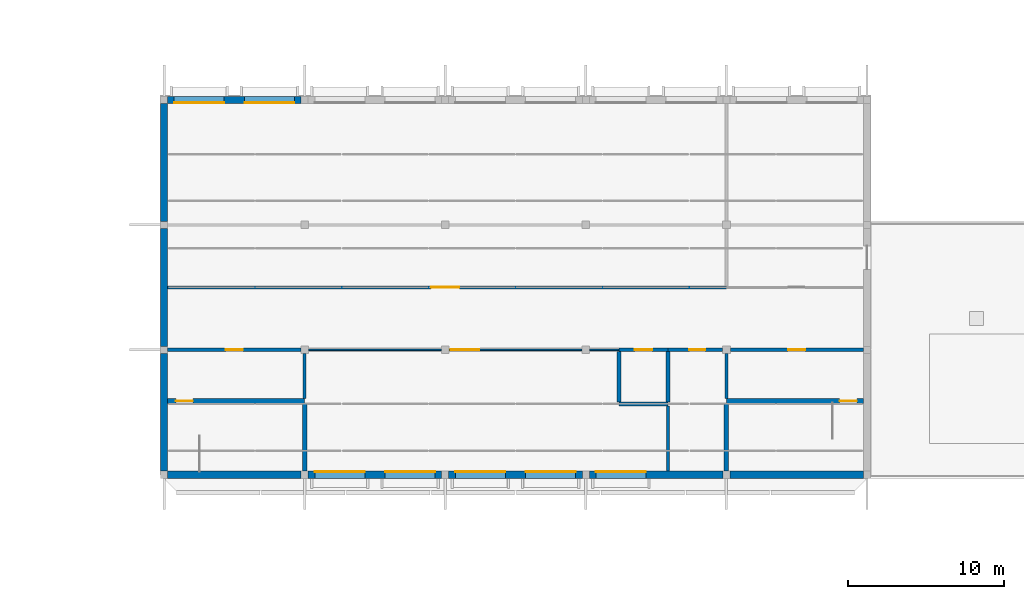
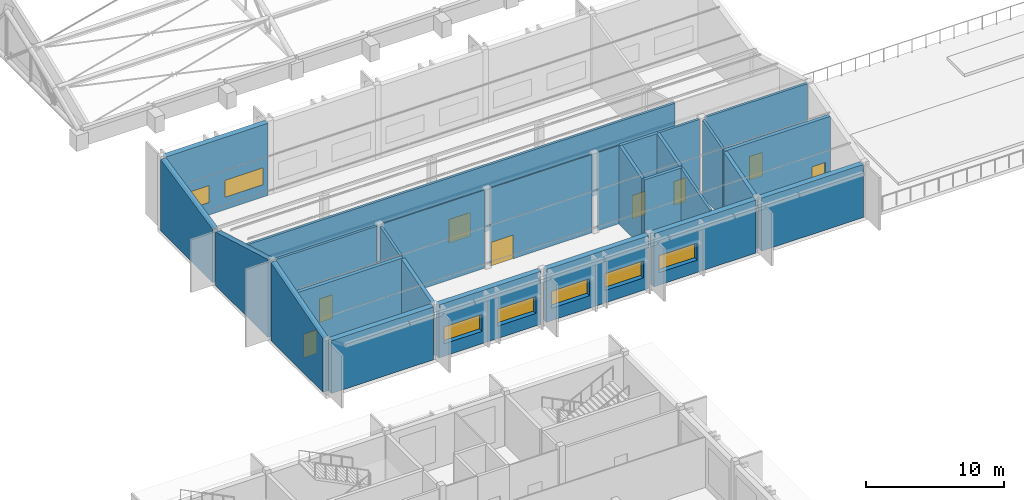
# One storey, part 119 of 196: 27 walls, 8 doors, 7 windows, 15 openings.
"""IFC4 building model written with IfcOpenShell, lengths in metres."""

from ifc_helpers import new_model, si_unit, direction, frame, frame_2d, origin, place, context, subcontext, project, spatial, polyline, rectangle, outline, extrude, material, layer, layer_set, type_object, element, fill, save


model = new_model("IFC4")

# Units and contexts
model_context = context("Model", 3, precision=1e-05, world=origin(), true_north=direction((0.0, 1.0)))
body_context = subcontext(model_context, "Body", "Model", "MODEL_VIEW")
ifc_project = project(units=[si_unit("LENGTHUNIT", "METRE"), si_unit("AREAUNIT", "SQUARE_METRE"), si_unit("VOLUMEUNIT", "CUBIC_METRE"), si_unit("PLANEANGLEUNIT", "RADIAN"), si_unit("MASSUNIT", "GRAM", prefix="KILO")], contexts=[model_context])

# Site, building, storey
site_placement = place(None, origin())
site = spatial("IfcSite", under=ifc_project, at=site_placement, CompositionType="ELEMENT")
building_placement = place(site_placement, origin())
building = spatial("IfcBuilding", under=site, at=building_placement, Name="Okhra Congress Centre", CompositionType="ELEMENT")
storey_placement = place(building_placement, frame((0.0, 0.0, 12.0)))
storey = spatial("IfcBuildingStorey", under=building, at=storey_placement, Name="L02", CompositionType="ELEMENT", Elevation=12.0)

# Wall, openings, windows
ifc_material_1 = material(Name="Insulated metal panel on steel stud (mineral wool, vapour barrier)", Category="steel")
ifc_layer_1 = layer(ifc_material_1, 0.449951171875)
ifc_layer_set_1 = layer_set([ifc_layer_1], Name="Insulated wall 450")
wall_type_1 = type_object("IfcWallType", Name="Insulated wall 450", PredefinedType="SOLIDWALL", material=ifc_layer_set_1)
wall_1_placement = place(storey_placement, frame((37.22509765625, 96.0, 0.0), z_axis=(0.0, 0.0, 1.0), x_axis=(1.0, 0.0, 0.0)))
wall_1 = element("IfcWall", 1, at=wall_1_placement, inside=storey, type_object=wall_type_1, Name="SV.WALL.L02.2", PredefinedType="SOLIDWALL", context=body_context, shape_type="SweptSolid", body=[
    extrude(rectangle(XDim=8.5498046875, YDim=0.449951171875, at=frame_2d((4.27490234375, 0.0))), origin(), (0.0, 0.0, 1.0), 4.68798828125),
])
opening_1_placement = place(wall_1_placement, frame((0.425048828125, 0.0, 1.10009765625)))
opening_1 = element("IfcOpeningElement", 2, at=opening_1_placement, cuts=wall_1, Name="Opening WN16", PredefinedType="OPENING", context=body_context, shape_type="SweptSolid", body=[
    extrude(rectangle(XDim=3.199951171875, YDim=1.5, at=frame_2d((1.60009765625, 0.75))), frame((0.0, 0.23486328125, 0.0), z_axis=(0.0, -1.0, 0.0), x_axis=(1.0, 0.0, 0.0)), (0.0, 0.0, 1.0), 0.469970703125),
])
opening_2_placement = place(wall_1_placement, frame((4.925048828125, 0.0, 1.10009765625)))
opening_2 = element("IfcOpeningElement", 3, at=opening_2_placement, cuts=wall_1, Name="Opening WN16", PredefinedType="OPENING", context=body_context, shape_type="SweptSolid", body=[
    extrude(rectangle(XDim=3.199951171875, YDim=1.5, at=frame_2d((1.60009765625, 0.75))), frame((0.0, 0.23486328125, 0.0), z_axis=(0.0, -1.0, 0.0), x_axis=(1.0, 0.0, 0.0)), (0.0, 0.0, 1.0), 0.469970703125),
])
ifc_material_2 = material(Name="Thermally broken aluminium frame, triple glazing", Category="aluminium")
window_type = type_object("IfcWindowType", Name="Casement window 3200x1500", PartitioningType="SINGLE_PANEL", PredefinedType="WINDOW", material=ifc_material_2)
window_1_placement = place(opening_1_placement, origin())
window_1 = element("IfcWindow", 4, at=window_1_placement, inside=storey, type_object=window_type, Name="SV.WIN.L02.1", OverallHeight=1.5, OverallWidth=3.199951171875, PartitioningType="SINGLE_PANEL", PredefinedType="WINDOW", context=body_context, shape_type="SweptSolid", body=[
    extrude(rectangle(XDim=3.199951171875, YDim=1.5, at=frame_2d((1.60009765625, 0.75))), frame((0.0, 0.215087890625, 0.0), z_axis=(0.0, -1.0, 0.0), x_axis=(1.0, 0.0, 0.0)), (0.0, 0.0, 1.0), 0.06005859375),
])
fill(opening_1, window_1)
window_2_placement = place(opening_2_placement, origin())
window_2 = element("IfcWindow", 5, at=window_2_placement, inside=storey, type_object=window_type, Name="SV.WIN.L02.2", OverallHeight=1.5, OverallWidth=3.199951171875, PartitioningType="SINGLE_PANEL", PredefinedType="WINDOW", context=body_context, shape_type="SweptSolid", body=[
    extrude(rectangle(XDim=3.199951171875, YDim=1.5, at=frame_2d((1.60009765625, 0.75))), frame((0.0, 0.215087890625, 0.0), z_axis=(0.0, -1.0, 0.0), x_axis=(1.0, 0.0, 0.0)), (0.0, 0.0, 1.0), 0.06005859375),
])
fill(opening_2, window_2)

wall_2_placement = place(storey_placement, frame((46.22509765625, 96.0, 0.0), z_axis=(0.0, 0.0, 1.0), x_axis=(1.0, 0.0, 0.0)))
wall_2 = element("IfcWall", 6, at=wall_2_placement, inside=storey, type_object=wall_type_1, Name="SV.WALL.L02.3", PredefinedType="SOLIDWALL", context=body_context, shape_type="SweptSolid", body=[
    extrude(rectangle(XDim=8.5498046875, YDim=0.449951171875, at=frame_2d((4.27490234375, 0.0))), origin(), (0.0, 0.0, 1.0), 4.68798828125),
])
opening_3_placement = place(wall_2_placement, frame((0.425048828125, 0.0, 1.10009765625)))
opening_3 = element("IfcOpeningElement", 7, at=opening_3_placement, cuts=wall_2, Name="Opening WN16", PredefinedType="OPENING", context=body_context, shape_type="SweptSolid", body=[
    extrude(rectangle(XDim=3.199951171875, YDim=1.5, at=frame_2d((1.60009765625, 0.75))), frame((0.0, 0.23486328125, 0.0), z_axis=(0.0, -1.0, 0.0), x_axis=(1.0, 0.0, 0.0)), (0.0, 0.0, 1.0), 0.469970703125),
])
opening_4_placement = place(wall_2_placement, frame((4.925048828125, 0.0, 1.10009765625)))
opening_4 = element("IfcOpeningElement", 8, at=opening_4_placement, cuts=wall_2, Name="Opening WN16", PredefinedType="OPENING", context=body_context, shape_type="SweptSolid", body=[
    extrude(rectangle(XDim=3.199951171875, YDim=1.5, at=frame_2d((1.60009765625, 0.75))), frame((0.0, 0.23486328125, 0.0), z_axis=(0.0, -1.0, 0.0), x_axis=(1.0, 0.0, 0.0)), (0.0, 0.0, 1.0), 0.469970703125),
])
window_3_placement = place(opening_3_placement, origin())
window_3 = element("IfcWindow", 9, at=window_3_placement, inside=storey, type_object=window_type, Name="SV.WIN.L02.3", OverallHeight=1.5, OverallWidth=3.199951171875, PartitioningType="SINGLE_PANEL", PredefinedType="WINDOW", context=body_context, shape_type="SweptSolid", body=[
    extrude(rectangle(XDim=3.199951171875, YDim=1.5, at=frame_2d((1.60009765625, 0.75))), frame((0.0, 0.215087890625, 0.0), z_axis=(0.0, -1.0, 0.0), x_axis=(1.0, 0.0, 0.0)), (0.0, 0.0, 1.0), 0.06005859375),
])
fill(opening_3, window_3)
window_4_placement = place(opening_4_placement, origin())
window_4 = element("IfcWindow", 10, at=window_4_placement, inside=storey, type_object=window_type, Name="SV.WIN.L02.4", OverallHeight=1.5, OverallWidth=3.199951171875, PartitioningType="SINGLE_PANEL", PredefinedType="WINDOW", context=body_context, shape_type="SweptSolid", body=[
    extrude(rectangle(XDim=3.199951171875, YDim=1.5, at=frame_2d((1.60009765625, 0.75))), frame((0.0, 0.215087890625, 0.0), z_axis=(0.0, -1.0, 0.0), x_axis=(1.0, 0.0, 0.0)), (0.0, 0.0, 1.0), 0.06005859375),
])
fill(opening_4, window_4)

# Wall, opening, window
ifc_layer_2 = layer(ifc_material_1, 0.449951171875)
ifc_layer_set_2 = layer_set([ifc_layer_2], Name="Insulated wall 450 EI 45")
wall_type_2 = type_object("IfcWallType", Name="Insulated wall 450 EI 45", PredefinedType="SOLIDWALL", material=ifc_layer_set_2)
wall_3_placement = place(storey_placement, frame((55.22509765625, 96.0, 0.0), z_axis=(0.0, 0.0, 1.0), x_axis=(1.0, 0.0, 0.0)))
wall_3 = element("IfcWall", 11, at=wall_3_placement, inside=storey, type_object=wall_type_2, Name="SV.WALL.L02.4", PredefinedType="SOLIDWALL", context=body_context, shape_type="SweptSolid", body=[
    extrude(rectangle(XDim=8.5498046875, YDim=0.449951171875, at=frame_2d((4.27490234375, 0.0))), origin(), (0.0, 0.0, 1.0), 4.68798828125),
])
opening_5_placement = place(wall_3_placement, frame((0.425048828125, 0.0, 1.10009765625)))
opening_5 = element("IfcOpeningElement", 12, at=opening_5_placement, cuts=wall_3, Name="Opening WN16", PredefinedType="OPENING", context=body_context, shape_type="SweptSolid", body=[
    extrude(rectangle(XDim=3.199951171875, YDim=1.5, at=frame_2d((1.60009765625, 0.75))), frame((0.0, 0.23486328125, 0.0), z_axis=(0.0, -1.0, 0.0), x_axis=(1.0, 0.0, 0.0)), (0.0, 0.0, 1.0), 0.469970703125),
])
window_5_placement = place(opening_5_placement, origin())
window_5 = element("IfcWindow", 13, at=window_5_placement, inside=storey, type_object=window_type, Name="SV.WIN.L02.5", OverallHeight=1.5, OverallWidth=3.199951171875, PartitioningType="SINGLE_PANEL", PredefinedType="WINDOW", context=body_context, shape_type="SweptSolid", body=[
    extrude(rectangle(XDim=3.199951171875, YDim=1.5, at=frame_2d((1.60009765625, 0.75))), frame((0.0, 0.215087890625, 0.0), z_axis=(0.0, -1.0, 0.0), x_axis=(1.0, 0.0, 0.0)), (0.0, 0.0, 1.0), 0.06005859375),
])
fill(opening_5, window_5)

# Wall, openings, windows
wall_4_placement = place(storey_placement, frame((36.77490234375, 120.0, 0.0), z_axis=(0.0, 0.0, 1.0), x_axis=(-1.0, 0.0, 0.0)))
wall_4 = element("IfcWall", 14, at=wall_4_placement, inside=storey, type_object=wall_type_2, Name="SV.WALL.L02.18", PredefinedType="SOLIDWALL", context=body_context, shape_type="SweptSolid", body=[
    extrude(rectangle(XDim=8.5498046875, YDim=0.449951171875, at=frame_2d((4.27490234375, 0.0))), origin(), (0.0, 0.0, 1.0), 6.393798828125),
])
opening_6_placement = place(wall_4_placement, frame((4.925048828125, 0.0, 1.10009765625)))
opening_6 = element("IfcOpeningElement", 15, at=opening_6_placement, cuts=wall_4, Name="Opening WN16", PredefinedType="OPENING", context=body_context, shape_type="SweptSolid", body=[
    extrude(rectangle(XDim=3.199951171875, YDim=1.5, at=frame_2d((1.60009765625, 0.75))), frame((0.0, 0.23486328125, 0.0), z_axis=(0.0, -1.0, 0.0), x_axis=(1.0, 0.0, 0.0)), (0.0, 0.0, 1.0), 0.469970703125),
])
opening_7_placement = place(wall_4_placement, frame((0.425048828125, 0.0, 1.10009765625)))
opening_7 = element("IfcOpeningElement", 16, at=opening_7_placement, cuts=wall_4, Name="Opening WN16", PredefinedType="OPENING", context=body_context, shape_type="SweptSolid", body=[
    extrude(rectangle(XDim=3.199951171875, YDim=1.5, at=frame_2d((1.60009765625, 0.75))), frame((0.0, 0.23486328125, 0.0), z_axis=(0.0, -1.0, 0.0), x_axis=(1.0, 0.0, 0.0)), (0.0, 0.0, 1.0), 0.469970703125),
])
window_6_placement = place(opening_6_placement, origin())
window_6 = element("IfcWindow", 17, at=window_6_placement, inside=storey, type_object=window_type, Name="SV.WIN.L02.6", OverallHeight=1.5, OverallWidth=3.199951171875, PartitioningType="SINGLE_PANEL", PredefinedType="WINDOW", context=body_context, shape_type="SweptSolid", body=[
    extrude(rectangle(XDim=3.199951171875, YDim=1.5, at=frame_2d((1.60009765625, 0.75))), frame((0.0, 0.215087890625, 0.0), z_axis=(0.0, -1.0, 0.0), x_axis=(1.0, 0.0, 0.0)), (0.0, 0.0, 1.0), 0.06005859375),
])
fill(opening_6, window_6)
window_7_placement = place(opening_7_placement, origin())
window_7 = element("IfcWindow", 18, at=window_7_placement, inside=storey, type_object=window_type, Name="SV.WIN.L02.7", OverallHeight=1.5, OverallWidth=3.199951171875, PartitioningType="SINGLE_PANEL", PredefinedType="WINDOW", context=body_context, shape_type="SweptSolid", body=[
    extrude(rectangle(XDim=3.199951171875, YDim=1.5, at=frame_2d((1.60009765625, 0.75))), frame((0.0, 0.215087890625, 0.0), z_axis=(0.0, -1.0, 0.0), x_axis=(1.0, 0.0, 0.0)), (0.0, 0.0, 1.0), 0.06005859375),
])
fill(opening_7, window_7)

# Walls
wall_5_placement = place(storey_placement, frame((28.0, 111.77490234375, 0.0), z_axis=(0.0, 0.0, 1.0), x_axis=(0.0, -1.0, 0.0)))
element("IfcWall", 19, at=wall_5_placement, inside=storey, type_object=wall_type_2, Name="SV.WALL.L02.24", PredefinedType="SOLIDWALL", context=body_context, shape_type="SweptSolid", body=[
    extrude(outline(polyline([(0.0, 0.0), (7.5498046875, 0.0), (7.550048828125, 6.917236328125), (0.0, 4.75244140625), (0.0, 0.0)])), frame((0.0, 0.22509765625, 0.0), z_axis=(0.0, -1.0, 0.0), x_axis=(1.0, 0.0, 0.0)), (0.0, 0.0, 1.0), 0.449951171875),
])
wall_6_placement = place(storey_placement, frame((28.0, 119.77490234375, 0.0), z_axis=(0.0, 0.0, 1.0), x_axis=(0.0, -1.0, 0.0)))
element("IfcWall", 20, at=wall_6_placement, inside=storey, type_object=wall_type_2, Name="SV.WALL.L02.25", PredefinedType="SOLIDWALL", context=body_context, shape_type="SweptSolid", body=[
    extrude(outline(polyline([(0.0, 0.0), (7.5498046875, 0.0), (7.550048828125, 4.7412109375), (0.0, 6.345947265625), (0.0, 0.0)])), frame((0.0, 0.22509765625, 0.0), z_axis=(0.0, -1.0, 0.0), x_axis=(1.0, 0.0, 0.0)), (0.0, 0.0, 1.0), 0.449951171875),
])

# Wall, opening, door
ifc_material_3 = material(Name="Masonry blockwork (aerated concrete D500)", Category="masonry")
ifc_layer_3 = layer(ifc_material_3, 0.199951171875)
ifc_layer_set_3 = layer_set([ifc_layer_3], Name="Masonry block wall 200 EI 45")
wall_type_3 = type_object("IfcWallType", Name="Masonry block wall 200 EI 45", PredefinedType="SOLIDWALL", material=ifc_layer_set_3)
wall_7_placement = place(storey_placement, frame((28.22509765625, 104.0, 0.0), z_axis=(0.0, 0.0, 1.0), x_axis=(1.0, 0.0, 0.0)))
wall_7 = element("IfcWall", 21, at=wall_7_placement, inside=storey, type_object=wall_type_3, Name="SV.WALL.L02.9", PredefinedType="SOLIDWALL", context=body_context, shape_type="SweptSolid", body=[
    extrude(rectangle(XDim=8.52490234375, YDim=0.199951171875, at=frame_2d((4.262451171875, 0.0))), origin(), (0.0, 0.0, 1.0), 6.921875),
])
opening_8_placement = place(wall_7_placement, frame((3.72509765625, 0.0, 0.0)))
opening_8 = element("IfcOpeningElement", 22, at=opening_8_placement, cuts=wall_7, Name="Opening L02-004", PredefinedType="OPENING", context=body_context, shape_type="SweptSolid", body=[
    extrude(rectangle(XDim=1.10009765625, YDim=2.10009765625, at=frame_2d((0.550048828125, 1.050048828125))), frame((0.0, 0.10986328125, 0.0), z_axis=(0.0, -1.0, 0.0), x_axis=(1.0, 0.0, 0.0)), (0.0, 0.0, 1.0), 0.219970703125),
])
ifc_material_4 = material(Name="Steel fire door leaf in steel frame, intumescent seals", Category="steel")
door_type_1 = type_object("IfcDoorType", Name="Steel fire door 1100x2100 EI 30", OperationType="NOTDEFINED", PredefinedType="DOOR", material=ifc_material_4)
door_1_placement = place(opening_8_placement, frame((1.10009765625, 0.0, 0.0), z_axis=(0.0, 0.0, 1.0), x_axis=(-1.0, 0.0, 0.0)))
door_1 = element("IfcDoor", 23, at=door_1_placement, inside=storey, type_object=door_type_1, Name="Door L02-004", OperationType="SINGLE_SWING_RIGHT", OverallHeight=2.10009765625, OverallWidth=1.10009765625, PredefinedType="DOOR", context=body_context, shape_type="SweptSolid", body=[
    extrude(rectangle(XDim=1.10009765625, YDim=2.10009765625, at=frame_2d((0.550048828125, 1.050048828125))), frame((0.0, 0.02490234375, 0.0), z_axis=(0.0, -1.0, 0.0), x_axis=(1.0, 0.0, 0.0)), (0.0, 0.0, 1.0), 0.050048828125),
])
fill(opening_8, door_1)

wall_8_placement = place(storey_placement, frame((60.27490234375, 104.0, 0.0), z_axis=(0.0, 0.0, 1.0), x_axis=(1.0, 0.0, 0.0)))
wall_8 = element("IfcWall", 24, at=wall_8_placement, inside=storey, type_object=wall_type_3, Name="SV.WALL.L02.14", PredefinedType="SOLIDWALL", context=body_context, shape_type="SweptSolid", body=[
    extrude(rectangle(XDim=3.47509765625, YDim=0.199951171875, at=frame_2d((1.737548828125, 0.0))), origin(), (0.0, 0.0, 1.0), 6.921875),
])
opening_9_placement = place(wall_8_placement, frame((1.362548828125, 0.0, 0.0)))
opening_9 = element("IfcOpeningElement", 25, at=opening_9_placement, cuts=wall_8, Name="Opening L02-009", PredefinedType="OPENING", context=body_context, shape_type="SweptSolid", body=[
    extrude(rectangle(XDim=1.0, YDim=2.10009765625, at=frame_2d((0.5, 1.050048828125))), frame((0.0, 0.10986328125, 0.0), z_axis=(0.0, -1.0, 0.0), x_axis=(1.0, 0.0, 0.0)), (0.0, 0.0, 1.0), 0.219970703125),
])
door_type_2 = type_object("IfcDoorType", Name="Steel fire door 1000x2100 EI 30", OperationType="NOTDEFINED", PredefinedType="DOOR", material=ifc_material_4)
door_2_placement = place(opening_9_placement, origin())
door_2 = element("IfcDoor", 26, at=door_2_placement, inside=storey, type_object=door_type_2, Name="Door L02-009", OperationType="SINGLE_SWING_RIGHT", OverallHeight=2.10009765625, OverallWidth=1.0, PredefinedType="DOOR", context=body_context, shape_type="SweptSolid", body=[
    extrude(rectangle(XDim=1.0, YDim=2.10009765625, at=frame_2d((0.5, 1.050048828125))), frame((0.0, 0.02490234375, 0.0), z_axis=(0.0, -1.0, 0.0), x_axis=(1.0, 0.0, 0.0)), (0.0, 0.0, 1.0), 0.050048828125),
])
fill(opening_9, door_2)

wall_9_placement = place(storey_placement, frame((64.25, 104.0, 0.0), z_axis=(0.0, 0.0, 1.0), x_axis=(1.0, 0.0, 0.0)))
wall_9 = element("IfcWall", 27, at=wall_9_placement, inside=storey, type_object=wall_type_3, Name="SV.WALL.L02.15", PredefinedType="SOLIDWALL", context=body_context, shape_type="SweptSolid", body=[
    extrude(rectangle(XDim=8.52490234375, YDim=0.199951171875, at=frame_2d((4.262451171875, 0.0))), origin(), (0.0, 0.0, 1.0), 6.921875),
])
opening_10_placement = place(wall_9_placement, frame((3.699951171875, 0.0, 0.0)))
opening_10 = element("IfcOpeningElement", 28, at=opening_10_placement, cuts=wall_9, Name="Opening L02-006", PredefinedType="OPENING", context=body_context, shape_type="SweptSolid", body=[
    extrude(rectangle(XDim=1.10009765625, YDim=2.10009765625, at=frame_2d((0.550048828125, 1.050048828125))), frame((0.0, 0.10986328125, 0.0), z_axis=(0.0, -1.0, 0.0), x_axis=(1.0, 0.0, 0.0)), (0.0, 0.0, 1.0), 0.219970703125),
])
door_3_placement = place(opening_10_placement, frame((1.10009765625, 0.0, 0.0), z_axis=(0.0, 0.0, 1.0), x_axis=(-1.0, 0.0, 0.0)))
door_3 = element("IfcDoor", 29, at=door_3_placement, inside=storey, type_object=door_type_1, Name="Door L02-006", OperationType="SINGLE_SWING_RIGHT", OverallHeight=2.10009765625, OverallWidth=1.10009765625, PredefinedType="DOOR", context=body_context, shape_type="SweptSolid", body=[
    extrude(rectangle(XDim=1.10009765625, YDim=2.10009765625, at=frame_2d((0.550048828125, 1.050048828125))), frame((0.0, 0.02490234375, 0.0), z_axis=(0.0, -1.0, 0.0), x_axis=(1.0, 0.0, 0.0)), (0.0, 0.0, 1.0), 0.050048828125),
])
fill(opening_10, door_3)

wall_10_placement = place(storey_placement, frame((28.22509765625, 108.0, 0.0), z_axis=(0.0, 0.0, 1.0), x_axis=(1.0, 0.0, 0.0)))
wall_10 = element("IfcWall", 30, at=wall_10_placement, inside=storey, type_object=wall_type_3, Name="SV.WALL.L02.16", PredefinedType="SOLIDWALL", context=body_context, shape_type="SweptSolid", body=[
    extrude(rectangle(XDim=35.77490234375, YDim=0.199951171875, at=frame_2d((17.887451171875, 0.0))), origin(), (0.0, 0.0, 1.0), 5.8349609375),
])
opening_11_placement = place(wall_10_placement, frame((16.875, 0.0, 0.0)))
opening_11 = element("IfcOpeningElement", 31, at=opening_11_placement, cuts=wall_10, Name="Opening L02-010", PredefinedType="OPENING", context=body_context, shape_type="SweptSolid", body=[
    extrude(rectangle(XDim=1.800048828125, YDim=2.10009765625, at=frame_2d((0.89990234375, 1.050048828125))), frame((0.0, 0.10986328125, 0.0), z_axis=(0.0, -1.0, 0.0), x_axis=(1.0, 0.0, 0.0)), (0.0, 0.0, 1.0), 0.219970703125),
])
ifc_material_5 = material(Name="Steel fire door leaves in steel frame, intumescent seals", Category="steel")
door_type_3 = type_object("IfcDoorType", Name="Steel fire door pair 1800x2100 EI 30", OperationType="NOTDEFINED", PredefinedType="DOOR", material=ifc_material_5)
door_4_placement = place(opening_11_placement, frame((1.800048828125, 0.0, 0.0), z_axis=(0.0, 0.0, 1.0), x_axis=(-1.0, 0.0, 0.0)))
door_4 = element("IfcDoor", 32, at=door_4_placement, inside=storey, type_object=door_type_3, Name="Door L02-010", OperationType="DOUBLE_DOOR_SINGLE_SWING", OverallHeight=2.10009765625, OverallWidth=1.800048828125, PredefinedType="DOOR", context=body_context, shape_type="SweptSolid", body=[
    extrude(rectangle(XDim=1.800048828125, YDim=2.10009765625, at=frame_2d((0.89990234375, 1.050048828125))), frame((0.0, 0.02490234375, 0.0), z_axis=(0.0, -1.0, 0.0), x_axis=(1.0, 0.0, 0.0)), (0.0, 0.0, 1.0), 0.050048828125),
])
fill(opening_11, door_4)

# Walls
wall_11_placement = place(storey_placement, frame((37.0, 100.875, 0.0), z_axis=(0.0, 0.0, 1.0), x_axis=(0.0, 1.0, 0.0)))
element("IfcWall", 33, at=wall_11_placement, inside=storey, type_object=wall_type_3, Name="SV.WALL.L02.27", PredefinedType="SOLIDWALL", context=body_context, shape_type="SweptSolid", body=[
    extrude(outline(polyline([(0.0, 0.0), (2.875, 0.0), (2.875, 6.91015625), (0.0, 6.085693359375), (0.0, 0.0)])), frame((0.0, 0.10009765625, 0.0), z_axis=(0.0, -1.0, 0.0), x_axis=(1.0, 0.0, 0.0)), (0.0, 0.0, 1.0), 0.199951171875),
])
wall_12_placement = place(storey_placement, frame((60.27490234375, 96.22509765625, 0.0), z_axis=(0.0, 0.0, 1.0), x_axis=(0.0, 1.0, 0.0)))
element("IfcWall", 34, at=wall_12_placement, inside=storey, type_object=wall_type_3, Name="SV.WALL.L02.29", PredefinedType="SOLIDWALL", context=body_context, shape_type="SweptSolid", body=[
    extrude(outline(polyline([(0.0, 0.0), (4.1748046875, 0.0), (4.175048828125, 5.94970703125), (0.0, 4.75244140625), (0.0, 0.0)])), frame((0.0, 0.10009765625, 0.0), z_axis=(0.0, -1.0, 0.0), x_axis=(1.0, 0.0, 0.0)), (0.0, 0.0, 1.0), 0.199951171875),
])
wall_13_placement = place(storey_placement, frame((64.0, 100.875, 0.0), z_axis=(0.0, 0.0, 1.0), x_axis=(0.0, 1.0, 0.0)))
element("IfcWall", 35, at=wall_13_placement, inside=storey, type_object=wall_type_3, Name="SV.WALL.L02.32", PredefinedType="SOLIDWALL", context=body_context, shape_type="SweptSolid", body=[
    extrude(outline(polyline([(0.0, 0.0), (2.875, 0.0), (2.875, 6.91015625), (0.0, 6.085693359375), (0.0, 0.0)])), frame((0.0, 0.10009765625, 0.0), z_axis=(0.0, -1.0, 0.0), x_axis=(1.0, 0.0, 0.0)), (0.0, 0.0, 1.0), 0.199951171875),
])
ifc_material_6 = material(Name="Gypsum board on steel studs", Category="steel")
ifc_layer_4 = layer(ifc_material_6, 0.10009765625)
ifc_layer_set_4 = layer_set([ifc_layer_4], Name="Partition 100 EI 15")
wall_type_4 = type_object("IfcWallType", Name="Partition 100 EI 15", PredefinedType="PARTITIONING", material=ifc_layer_set_4)
wall_14_placement = place(storey_placement, frame((37.25, 104.0, 0.0), z_axis=(0.0, 0.0, 1.0), x_axis=(1.0, 0.0, 0.0)))
element("IfcWall", 36, at=wall_14_placement, inside=storey, type_object=wall_type_4, Name="SV.WALL.L02.10", PredefinedType="PARTITIONING", context=body_context, shape_type="SweptSolid", body=[
    extrude(rectangle(XDim=8.5, YDim=0.10009765625, at=frame_2d((4.25, 0.0))), origin(), (0.0, 0.0, 1.0), 6.921875),
])

# Wall, opening, door
wall_15_placement = place(storey_placement, frame((46.25, 104.0, 0.0), z_axis=(0.0, 0.0, 1.0), x_axis=(1.0, 0.0, 0.0)))
wall_15 = element("IfcWall", 37, at=wall_15_placement, inside=storey, type_object=wall_type_4, Name="SV.WALL.L02.11", PredefinedType="PARTITIONING", context=body_context, shape_type="SweptSolid", body=[
    extrude(rectangle(XDim=8.5, YDim=0.10009765625, at=frame_2d((4.25, 0.0))), origin(), (0.0, 0.0, 1.0), 6.921875),
])
opening_12_placement = place(wall_15_placement, frame((0.112548828125, 0.0, 0.0)))
opening_12 = element("IfcOpeningElement", 38, at=opening_12_placement, cuts=wall_15, Name="Opening L02-008", PredefinedType="OPENING", context=body_context, shape_type="SweptSolid", body=[
    extrude(rectangle(XDim=1.800048828125, YDim=2.10009765625, at=frame_2d((0.89990234375, 1.050048828125))), frame((0.0, 0.06005859375, 0.0), z_axis=(0.0, -1.0, 0.0), x_axis=(1.0, 0.0, 0.0)), (0.0, 0.0, 1.0), 0.1201171875),
])
ifc_material_7 = material(Name="Timber door leaves in steel frame", Category="steel")
door_type_4 = type_object("IfcDoorType", Name="Double swing door 1800x2100", OperationType="NOTDEFINED", PredefinedType="DOOR", material=ifc_material_7)
door_5_placement = place(opening_12_placement, origin())
door_5 = element("IfcDoor", 39, at=door_5_placement, inside=storey, type_object=door_type_4, Name="Door L02-008", OperationType="DOUBLE_DOOR_SINGLE_SWING", OverallHeight=2.10009765625, OverallWidth=1.800048828125, PredefinedType="DOOR", context=body_context, shape_type="SweptSolid", body=[
    extrude(rectangle(XDim=1.800048828125, YDim=2.10009765625, at=frame_2d((0.89990234375, 1.050048828125))), frame((0.0, 0.02490234375, 0.0), z_axis=(0.0, -1.0, 0.0), x_axis=(1.0, 0.0, 0.0)), (0.0, 0.0, 1.0), 0.050048828125),
])
fill(opening_12, door_5)

# Wall
wall_16_placement = place(storey_placement, frame((55.25, 104.0, 0.0), z_axis=(0.0, 0.0, 1.0), x_axis=(1.0, 0.0, 0.0)))
element("IfcWall", 40, at=wall_16_placement, inside=storey, type_object=wall_type_4, Name="SV.WALL.L02.12", PredefinedType="PARTITIONING", context=body_context, shape_type="SweptSolid", body=[
    extrude(rectangle(XDim=1.875, YDim=0.10009765625, at=frame_2d((0.9375, 0.0))), origin(), (0.0, 0.0, 1.0), 6.921875),
])

# Wall, opening, door
ifc_material_8 = material(Name="Concrete C35/45", Category="concrete")
ifc_layer_5 = layer(ifc_material_8, 0.300048828125)
ifc_layer_set_5 = layer_set([ifc_layer_5], Name="RC core wall 300 REI 120 C35/45")
wall_type_5 = type_object("IfcWallType", Name="RC core wall 300 REI 120 C35/45", PredefinedType="SHEAR", material=ifc_layer_set_5)
wall_17_placement = place(storey_placement, frame((28.22509765625, 100.72509765625, 0.0), z_axis=(0.0, 0.0, 1.0), x_axis=(1.0, 0.0, 0.0)))
wall_17 = element("IfcWall", 41, at=wall_17_placement, inside=storey, type_object=wall_type_5, Name="SV.WALL.L02.7", PredefinedType="SHEAR", context=body_context, shape_type="SweptSolid", body=[
    extrude(rectangle(XDim=8.77490234375, YDim=0.300048828125, at=frame_2d((4.387451171875, 0.0))), origin(), (0.0, 0.0, 1.0), 6.042724609375),
])
opening_13_placement = place(wall_17_placement, frame((0.52490234375, 0.0, 0.0)))
opening_13 = element("IfcOpeningElement", 42, at=opening_13_placement, cuts=wall_17, Name="Opening L02-005", PredefinedType="OPENING", context=body_context, shape_type="SweptSolid", body=[
    extrude(rectangle(XDim=1.10009765625, YDim=2.10009765625, at=frame_2d((0.550048828125, 1.050048828125))), frame((0.0, 0.159912109375, 0.0), z_axis=(0.0, -1.0, 0.0), x_axis=(1.0, 0.0, 0.0)), (0.0, 0.0, 1.0), 0.320068359375),
])
door_6_placement = place(opening_13_placement, frame((1.10009765625, 0.0, 0.0), z_axis=(0.0, 0.0, 1.0), x_axis=(-1.0, 0.0, 0.0)))
door_6 = element("IfcDoor", 43, at=door_6_placement, inside=storey, type_object=door_type_1, Name="Door L02-005", OperationType="SINGLE_SWING_LEFT", OverallHeight=2.10009765625, OverallWidth=1.10009765625, PredefinedType="DOOR", context=body_context, shape_type="SweptSolid", body=[
    extrude(rectangle(XDim=1.10009765625, YDim=2.10009765625, at=frame_2d((0.550048828125, 1.050048828125))), frame((0.0, 0.02490234375, 0.0), z_axis=(0.0, -1.0, 0.0), x_axis=(1.0, 0.0, 0.0)), (0.0, 0.0, 1.0), 0.050048828125),
])
fill(opening_13, door_6)

wall_18_placement = place(storey_placement, frame((64.0, 100.72509765625, 0.0), z_axis=(0.0, 0.0, 1.0), x_axis=(1.0, 0.0, 0.0)))
wall_18 = element("IfcWall", 44, at=wall_18_placement, inside=storey, type_object=wall_type_5, Name="SV.WALL.L02.8", PredefinedType="SHEAR", context=body_context, shape_type="SweptSolid", body=[
    extrude(rectangle(XDim=8.77490234375, YDim=0.300048828125, at=frame_2d((4.387451171875, 0.0))), origin(), (0.0, 0.0, 1.0), 6.042724609375),
])
opening_14_placement = place(wall_18_placement, frame((7.25, 0.0, 0.0)))
opening_14 = element("IfcOpeningElement", 45, at=opening_14_placement, cuts=wall_18, Name="Opening L02-007", PredefinedType="OPENING", context=body_context, shape_type="SweptSolid", body=[
    extrude(rectangle(XDim=1.10009765625, YDim=2.10009765625, at=frame_2d((0.550048828125, 1.050048828125))), frame((0.0, 0.159912109375, 0.0), z_axis=(0.0, -1.0, 0.0), x_axis=(1.0, 0.0, 0.0)), (0.0, 0.0, 1.0), 0.320068359375),
])
door_7_placement = place(opening_14_placement, frame((1.10009765625, 0.0, 0.0), z_axis=(0.0, 0.0, 1.0), x_axis=(-1.0, 0.0, 0.0)))
door_7 = element("IfcDoor", 46, at=door_7_placement, inside=storey, type_object=door_type_1, Name="Door L02-007", OperationType="SINGLE_SWING_LEFT", OverallHeight=2.10009765625, OverallWidth=1.10009765625, PredefinedType="DOOR", context=body_context, shape_type="SweptSolid", body=[
    extrude(rectangle(XDim=1.10009765625, YDim=2.10009765625, at=frame_2d((0.550048828125, 1.050048828125))), frame((0.0, 0.02490234375, 0.0), z_axis=(0.0, -1.0, 0.0), x_axis=(1.0, 0.0, 0.0)), (0.0, 0.0, 1.0), 0.050048828125),
])
fill(opening_14, door_7)

# Walls
for number, where, z_axis, x_axis, name in (
    (47, (37.0, 96.22509765625, 0.0), (0.0, 0.0, 1.0), (0.0, 1.0, 0.0), "SV.WALL.L02.26"),
    (48, (64.0, 96.22509765625, 0.0), (0.0, 0.0, 1.0), (0.0, 1.0, 0.0), "SV.WALL.L02.31"),
):
    element("IfcWall", number, at=place(storey_placement, frame(where, z_axis=z_axis, x_axis=x_axis)), inside=storey, type_object=wall_type_5, Name=name, PredefinedType="SHEAR", context=body_context, shape_type="SweptSolid", body=[
        extrude(outline(polyline([(0.0, 0.0), (4.349853515625, 0.0), (4.35009765625, 5.999755859375), (0.0, 4.75244140625), (0.0, 0.0)])), frame((0.0, 0.14990234375, 0.0), z_axis=(0.0, -1.0, 0.0), x_axis=(1.0, 0.0, 0.0)), (0.0, 0.0, 1.0), 0.300048828125),
    ])
ifc_material_9 = material(Name="Concrete C30/37", Category="concrete")
ifc_layer_6 = layer(ifc_material_9, 0.449951171875)
ifc_layer_set_6 = layer_set([ifc_layer_6], Name="RC facade wall 450 REI 120 C30/37")
wall_type_6 = type_object("IfcWallType", Name="RC facade wall 450 REI 120 C30/37", PredefinedType="SOLIDWALL", material=ifc_layer_set_6)
for number, where, z_axis, x_axis, name in (
    (49, (28.22509765625, 96.0, 0.0), (0.0, 0.0, 1.0), (1.0, 0.0, 0.0), "SV.WALL.L02.1"),
    (50, (64.22509765625, 96.0, 0.0), (0.0, 0.0, 1.0), (1.0, 0.0, 0.0), "SV.WALL.L02.5"),
):
    element("IfcWall", number, at=place(storey_placement, frame(where, z_axis=z_axis, x_axis=x_axis)), inside=storey, type_object=wall_type_6, Name=name, PredefinedType="SOLIDWALL", context=body_context, shape_type="SweptSolid", body=[
        extrude(rectangle(XDim=8.5498046875, YDim=0.449951171875, at=frame_2d((4.27490234375, 0.0))), origin(), (0.0, 0.0, 1.0), 4.68798828125),
    ])
wall_19_placement = place(storey_placement, frame((28.0, 103.77490234375, 0.0), z_axis=(0.0, 0.0, 1.0), x_axis=(0.0, -1.0, 0.0)))
element("IfcWall", 51, at=wall_19_placement, inside=storey, type_object=wall_type_6, Name="SV.WALL.L02.23", PredefinedType="SOLIDWALL", context=body_context, shape_type="SweptSolid", body=[
    extrude(outline(polyline([(0.0, 0.0), (7.5498046875, 0.0), (7.550048828125, 4.75244140625), (0.0, 6.917236328125), (0.0, 0.0)])), frame((0.0, 0.22509765625, 0.0), z_axis=(0.0, -1.0, 0.0), x_axis=(1.0, 0.0, 0.0)), (0.0, 0.0, 1.0), 0.449951171875),
])
ifc_layer_7 = layer(ifc_material_9, 0.25)
ifc_layer_set_7 = layer_set([ifc_layer_7], Name="RC wall 250 REI 120 C30/37")
wall_type_7 = type_object("IfcWallType", Name="RC wall 250 REI 120 C30/37", PredefinedType="SOLIDWALL", material=ifc_layer_set_7)
wall_20_placement = place(storey_placement, frame((57.125, 100.52490234375, 0.0), z_axis=(0.0, 0.0, 1.0), x_axis=(1.0, 0.0, 0.0)))
element("IfcWall", 52, at=wall_20_placement, inside=storey, type_object=wall_type_7, Name="SV.WALL.L02.6", PredefinedType="SOLIDWALL", context=body_context, shape_type="SweptSolid", body=[
    extrude(rectangle(XDim=3.14990234375, YDim=0.25, at=frame_2d((1.574951171875, 0.0))), origin(), (0.0, 0.0, 1.0), 5.9853515625),
])

# Wall, opening, door
wall_21_placement = place(storey_placement, frame((57.125, 104.0, 0.0), z_axis=(0.0, 0.0, 1.0), x_axis=(1.0, 0.0, 0.0)))
wall_21 = element("IfcWall", 53, at=wall_21_placement, inside=storey, type_object=wall_type_7, Name="SV.WALL.L02.13", PredefinedType="SOLIDWALL", context=body_context, shape_type="SweptSolid", body=[
    extrude(rectangle(XDim=3.14990234375, YDim=0.25, at=frame_2d((1.574951171875, 0.0))), origin(), (0.0, 0.0, 1.0), 6.921875),
])
opening_15_placement = place(wall_21_placement, frame((1.02490234375, 0.0, 0.0)))
opening_15 = element("IfcOpeningElement", 54, at=opening_15_placement, cuts=wall_21, Name="Opening L02-012", PredefinedType="OPENING", context=body_context, shape_type="SweptSolid", body=[
    extrude(rectangle(XDim=1.10009765625, YDim=2.10009765625, at=frame_2d((0.550048828125, 1.050048828125))), frame((0.0, 0.135009765625, 0.0), z_axis=(0.0, -1.0, 0.0), x_axis=(1.0, 0.0, 0.0)), (0.0, 0.0, 1.0), 0.27001953125),
])
ifc_material_10 = material(Name="Stainless steel sliding landing door leaves", Category="steel")
door_type_5 = type_object("IfcDoorType", Name="Lift landing door 1100x2100 EI 30", OperationType="DOUBLE_DOOR_SLIDING", PredefinedType="DOOR", material=ifc_material_10)
door_8_placement = place(opening_15_placement, origin())
door_8 = element("IfcDoor", 55, at=door_8_placement, inside=storey, type_object=door_type_5, Name="Door L02-012", OperationType="DOUBLE_DOOR_SLIDING", OverallHeight=2.10009765625, OverallWidth=1.10009765625, PredefinedType="DOOR", context=body_context, shape_type="SweptSolid", body=[
    extrude(rectangle(XDim=1.10009765625, YDim=2.10009765625, at=frame_2d((0.550048828125, 1.050048828125))), frame((0.0, 0.02490234375, 0.0), z_axis=(0.0, -1.0, 0.0), x_axis=(1.0, 0.0, 0.0)), (0.0, 0.0, 1.0), 0.050048828125),
])
fill(opening_15, door_8)

# Walls
for number, where, z_axis, x_axis, name in (
    (56, (57.125, 100.64990234375, 0.0), (0.0, 0.0, 1.0), (0.0, 1.0, 0.0), "SV.WALL.L02.28"),
    (57, (60.27490234375, 100.64990234375, 0.0), (0.0, 0.0, 1.0), (0.0, 1.0, 0.0), "SV.WALL.L02.30"),
):
    element("IfcWall", number, at=place(storey_placement, frame(where, z_axis=z_axis, x_axis=x_axis)), inside=storey, type_object=wall_type_7, Name=name, PredefinedType="SOLIDWALL", context=body_context, shape_type="SweptSolid", body=[
        extrude(outline(polyline([(0.0, 0.0), (3.22509765625, 0.0), (3.22509765625, 6.946044921875), (0.0, 6.021240234375), (0.0, 0.0)])), frame((0.0, 0.125, 0.0), z_axis=(0.0, -1.0, 0.0), x_axis=(1.0, 0.0, 0.0)), (0.0, 0.0, 1.0), 0.25),
    ])

save(model, "model.ifc")
